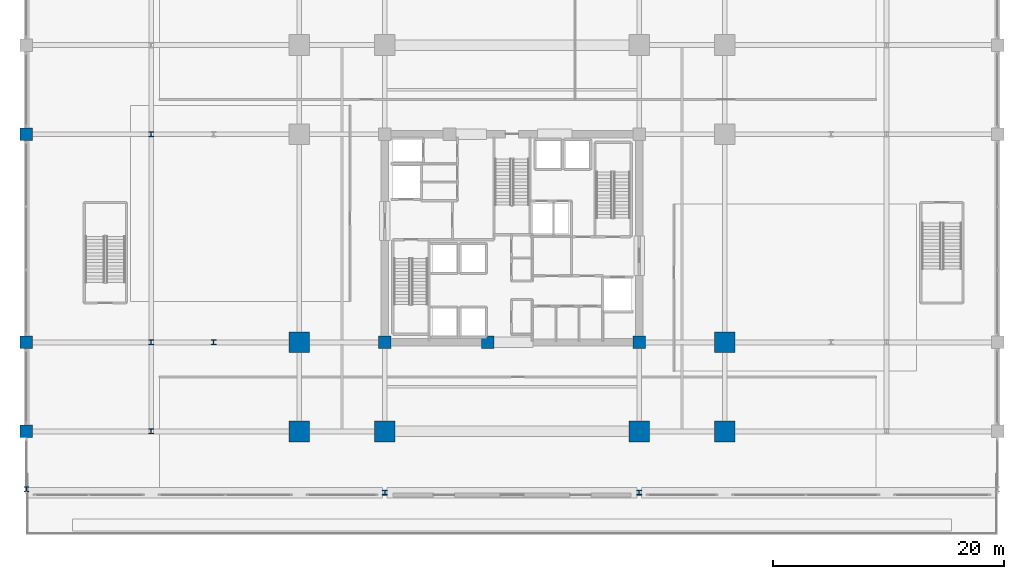
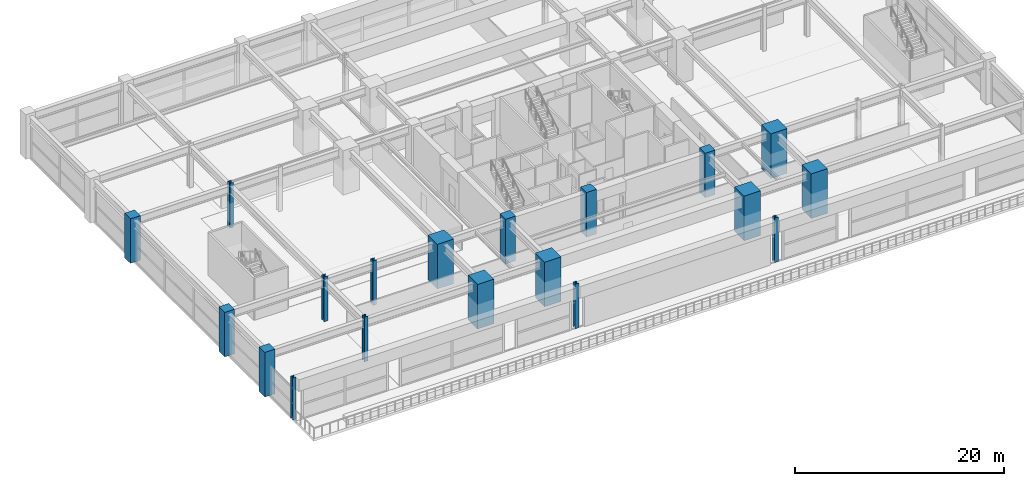
# One storey, part 1 of 43: 19 columns.
"""IFC4 building model written with IfcOpenShell, lengths in metres."""

from ifc_helpers import new_model, si_unit, direction, frame, origin, origin_2d, place, context, subcontext, project, spatial, rectangle, i_section, extrude, material, material_profile, profile_set, type_object, element, save


model = new_model("IFC4")

# Units and contexts
model_context = context("Model", 3, precision=1e-05, world=origin(), true_north=direction((0.0, 1.0)))
body_context = subcontext(model_context, "Body", "Model", "MODEL_VIEW")
ifc_project = project(units=[si_unit("LENGTHUNIT", "METRE"), si_unit("AREAUNIT", "SQUARE_METRE"), si_unit("VOLUMEUNIT", "CUBIC_METRE"), si_unit("PLANEANGLEUNIT", "RADIAN"), si_unit("MASSUNIT", "GRAM", prefix="KILO")], contexts=[model_context])

# Site, building, storey
site_placement = place(None, origin())
site = spatial("IfcSite", under=ifc_project, at=site_placement, CompositionType="ELEMENT")
building_placement = place(site_placement, origin())
building = spatial("IfcBuilding", under=site, at=building_placement, Name="Kovane Verandah Tower", CompositionType="ELEMENT")
storey_placement = place(building_placement, frame((0.0, 0.0, 11.199951171875)))
storey = spatial("IfcBuildingStorey", under=building, at=storey_placement, Name="L02", CompositionType="ELEMENT", Elevation=11.199951171875)

# Columns
ifc_material_1 = material(Name="Concrete C60/75", Category="concrete")
ifc_material_profile_1 = material_profile(ifc_material_1, rectangle(XDim=1.10009765625, YDim=1.10009765625, at=origin_2d()), Name="RC1100x1100")
ifc_profile_set_1 = profile_set([ifc_material_profile_1], Name="Concrete C60/75")
column_type_1 = type_object("IfcColumnType", Name="COL-POD1100", PredefinedType="COLUMN", material=ifc_profile_set_1)
for number, where, z_axis, x_axis, name in (
    (1, (-2.0, 10.800048828125, 0.0), (0.0, 0.0, 1.0), (1.0, 0.0, 0.0), "L02 Podium Column PC-W1"),
    (2, (-2.0, 18.5, 0.0), (0.0, 0.0, 1.0), (1.0, 0.0, 0.0), "L02 Podium Column PC-W2"),
    (3, (-2.0, 36.5, 0.0), (0.0, 0.0, 1.0), (1.0, 0.0, 0.0), "L02 Podium Column PC-W3"),
):
    element("IfcColumn", number, at=place(storey_placement, frame(where, z_axis=z_axis, x_axis=x_axis)), inside=storey, type_object=column_type_1, Name=name, PredefinedType="COLUMN", context=body_context, shape_type="SweptSolid", body=[
        extrude(rectangle(XDim=1.10009765625, YDim=1.10009765625, at=origin_2d()), origin(), (0.0, 0.0, 1.0), 5.199951171875),
    ])
ifc_material_2 = material(Name="Concrete C80/95", Category="concrete")
ifc_material_profile_2 = material_profile(ifc_material_2, rectangle(XDim=1.800048828125, YDim=1.800048828125, at=origin_2d()), Name="RC1800x1800")
ifc_profile_set_2 = profile_set([ifc_material_profile_2], Name="Concrete C80/95")
column_type_2 = type_object("IfcColumnType", Name="COL-RC1800", PredefinedType="COLUMN", material=ifc_profile_set_2)
for number, where, z_axis, x_axis, name in (
    (4, (29.0, 10.800048828125, 0.0), (0.0, 0.0, 1.0), (1.0, 0.0, 0.0), "L02 Tower Mega-Column MC-S1"),
    (5, (51.0, 10.800048828125, 0.0), (0.0, 0.0, 1.0), (1.0, 0.0, 0.0), "L02 Tower Mega-Column MC-S2"),
    (6, (21.60009765625, 18.5, 0.0), (0.0, 0.0, 1.0), (1.0, 0.0, 0.0), "L02 Tower Mega-Column MC-W1"),
    (7, (58.39990234375, 18.5, 0.0), (0.0, 0.0, 1.0), (1.0, 0.0, 0.0), "L02 Tower Mega-Column MC-E1"),
    (8, (21.60009765625, 10.800048828125, 0.0), (0.0, 0.0, 1.0), (1.0, 0.0, 0.0), "L02 Tower Mega-Column MC-SW"),
    (9, (58.39990234375, 10.800048828125, 0.0), (0.0, 0.0, 1.0), (1.0, 0.0, 0.0), "L02 Tower Mega-Column MC-SE"),
):
    element("IfcColumn", number, at=place(storey_placement, frame(where, z_axis=z_axis, x_axis=x_axis)), inside=storey, type_object=column_type_2, Name=name, PredefinedType="COLUMN", context=body_context, shape_type="SweptSolid", body=[
        extrude(rectangle(XDim=1.800048828125, YDim=1.800048828125, at=origin_2d()), origin(), (0.0, 0.0, 1.0), 5.199951171875),
    ])
ifc_material_3 = material(Name="Steel S460", Category="steel")
ifc_material_profile_3 = material_profile(ifc_material_3, i_section(OverallWidth=0.403076171875, OverallDepth=0.406494140625, WebThickness=0.026611328125, FlangeThickness=0.04296875, FilletRadius=0.01513671875, at=origin_2d()), Name="UC356x406x340")
ifc_profile_set_3 = profile_set([ifc_material_profile_3], Name="Steel S460")
column_type_3 = type_object("IfcColumnType", Name="COL-UC340", PredefinedType="COLUMN", material=ifc_profile_set_3)
column_placement = place(storey_placement, frame((-2.0, 5.800048828125, 0.0), z_axis=(0.0, 0.0, 1.0), x_axis=(1.0, 0.0, 0.0)))
element("IfcColumn", 10, at=column_placement, inside=storey, type_object=column_type_3, Name="L02 South Terrace Step Column S2-1", PredefinedType="COLUMN", context=body_context, shape_type="SweptSolid", body=[
    extrude(i_section(OverallWidth=0.403076171875, OverallDepth=0.406494140625, WebThickness=0.026611328125, FlangeThickness=0.04296875, FilletRadius=0.01513671875, at=origin_2d()), origin(), (0.0, 0.0, 1.0), 4.900146484375),
])
ifc_material_profile_4 = material_profile(ifc_material_3, i_section(OverallWidth=0.412109375, OverallDepth=0.4365234375, WebThickness=0.035888671875, FlangeThickness=0.05810546875, FilletRadius=0.01513671875, at=origin_2d()), Name="UC356x406x467")
ifc_profile_set_4 = profile_set([ifc_material_profile_4], Name="Steel S460")
column_type_4 = type_object("IfcColumnType", Name="COL-UC467", PredefinedType="COLUMN", material=ifc_profile_set_4)
for number, where, z_axis, x_axis, name in (
    (11, (14.199951171875, 18.5, 0.0), (0.0, 0.0, 1.0), (1.0, 0.0, 0.0), "L02 Verandah Perimeter Column VC-W1"),
    (12, (29.0, 5.5, 0.0), (0.0, 0.0, 1.0), (1.0, 0.0, 0.0), "L02 Verandah Perimeter Column VC-S1"),
    (13, (51.0, 5.5, 0.0), (0.0, 0.0, 1.0), (1.0, 0.0, 0.0), "L02 Verandah Perimeter Column VC-S2"),
):
    element("IfcColumn", number, at=place(storey_placement, frame(where, z_axis=z_axis, x_axis=x_axis)), inside=storey, type_object=column_type_4, Name=name, PredefinedType="COLUMN", context=body_context, shape_type="SweptSolid", body=[
        extrude(i_section(OverallWidth=0.412109375, OverallDepth=0.4365234375, WebThickness=0.035888671875, FlangeThickness=0.05810546875, FilletRadius=0.01513671875, at=origin_2d()), origin(), (0.0, 0.0, 1.0), 5.199951171875),
    ])
ifc_material_4 = material(Name="Steel S355", Category="steel")
ifc_material_profile_5 = material_profile(ifc_material_4, i_section(OverallWidth=0.41845703125, OverallDepth=0.45556640625, WebThickness=0.0419921875, FlangeThickness=0.0673828125, FilletRadius=0.01513671875, at=origin_2d()), Name="UC356x406x551")
ifc_profile_set_5 = profile_set([ifc_material_profile_5], Name="Steel S355")
column_type_5 = type_object("IfcColumnType", Name="COL-UC551", PredefinedType="COLUMN", material=ifc_profile_set_5)
for number, where, z_axis, x_axis, name in (
    (14, (8.800048828125, 10.800048828125, 0.0), (0.0, 0.0, 1.0), (1.0, 0.0, 0.0), "L02 Podium Column PC-MW1"),
    (15, (8.800048828125, 18.5, 0.0), (0.0, 0.0, 1.0), (1.0, 0.0, 0.0), "L02 Podium Column PC-MW2"),
    (16, (8.800048828125, 36.5, 0.0), (0.0, 0.0, 1.0), (1.0, 0.0, 0.0), "L02 Podium Column PC-MW3"),
):
    element("IfcColumn", number, at=place(storey_placement, frame(where, z_axis=z_axis, x_axis=x_axis)), inside=storey, type_object=column_type_5, Name=name, PredefinedType="COLUMN", context=body_context, shape_type="SweptSolid", body=[
        extrude(i_section(OverallWidth=0.41845703125, OverallDepth=0.45556640625, WebThickness=0.0419921875, FlangeThickness=0.0673828125, FilletRadius=0.01513671875, at=origin_2d()), origin(), (0.0, 0.0, 1.0), 5.199951171875),
    ])
ifc_material_profile_6 = material_profile(ifc_material_2, rectangle(XDim=1.10009765625, YDim=1.10009765625, at=origin_2d()), Name="RC1100x1100")
ifc_profile_set_6 = profile_set([ifc_material_profile_6], Name="Concrete C80/95")
column_type_6 = type_object("IfcColumnType", Name="PIL-RC1100", PredefinedType="PILASTER", material=ifc_profile_set_6)
for number, where, z_axis, x_axis, name in (
    (17, (29.0, 18.5, 0.0), (0.0, 0.0, 1.0), (1.0, 0.0, 0.0), "L02 Core Pilaster CP-SW"),
    (18, (51.0, 18.5, 0.0), (0.0, 0.0, 1.0), (1.0, 0.0, 0.0), "L02 Core Pilaster CP-SE"),
    (19, (37.89990234375, 18.5, 0.0), (0.0, 0.0, 1.0), (1.0, 0.0, 0.0), "L02 Core Pilaster CP-S"),
):
    element("IfcColumn", number, at=place(storey_placement, frame(where, z_axis=z_axis, x_axis=x_axis)), inside=storey, type_object=column_type_6, Name=name, PredefinedType="PILASTER", context=body_context, shape_type="SweptSolid", body=[
        extrude(rectangle(XDim=1.10009765625, YDim=1.10009765625, at=origin_2d()), origin(), (0.0, 0.0, 1.0), 5.199951171875),
    ])

save(model, "model.ifc")
